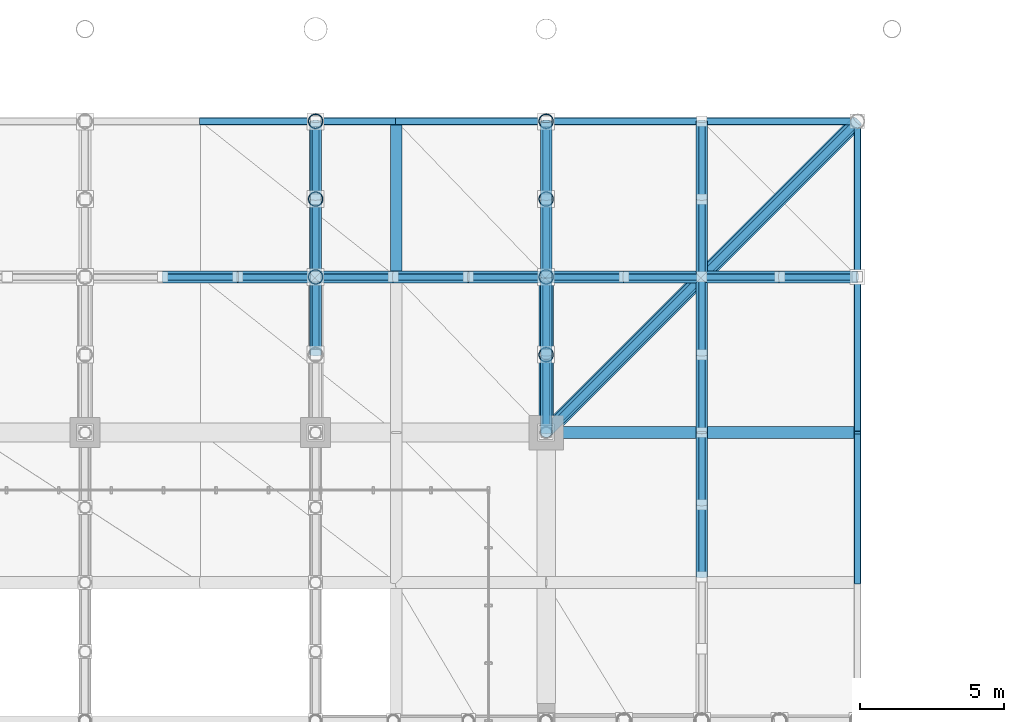
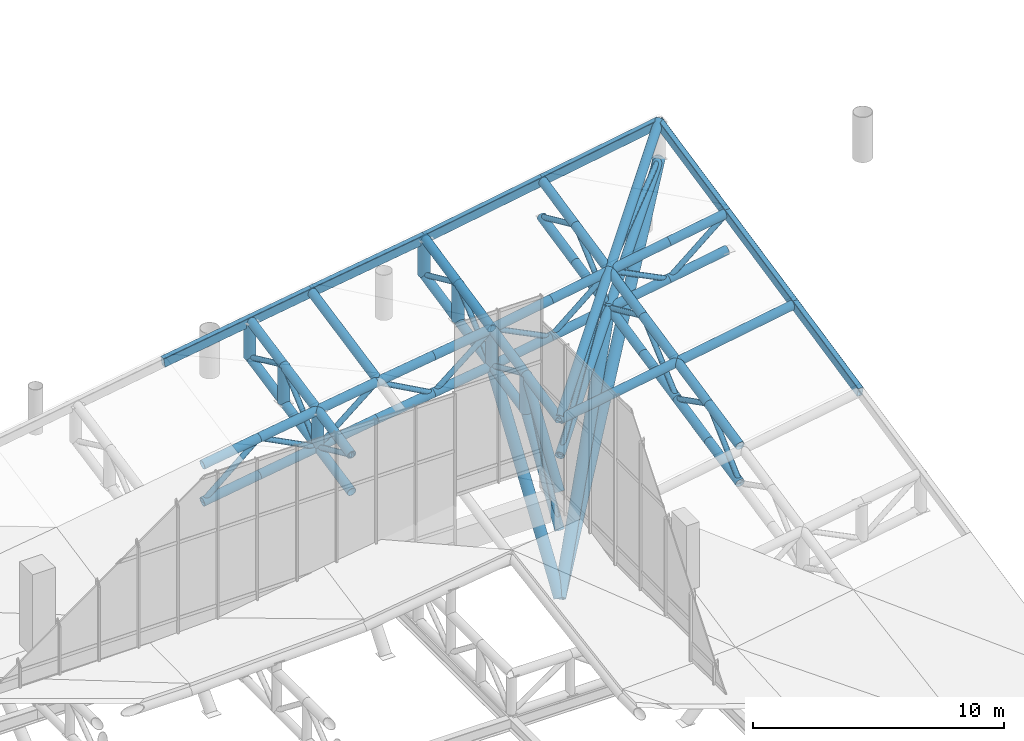
# One storey, part 94 of 137: 87 members, 7 beams.
"""IFC4 building model written with IfcOpenShell, lengths in metres."""

import ifcopenshell
import ifcopenshell.guid

model = None  # the IFC model being written
_history = None  # IfcOwnerHistory: only IFC2X3 demands one
_inside = {}  # id of a spatial element -> (the spatial element, [elements in it])
_under = {}  # id of a project, library or spatial element -> (it, [spatial elements below it])
_declared = {}  # id of a project -> (the project, [libraries it declares])
_typed = {}  # id of a type object -> (the type object, [elements of that type])
_made_of = {}  # id of a material, layer set ... -> (it, [elements and type objects made of it])


def new_model(schema):
    """Start an empty IFC model of exactly this schema.

    Asked for "IFC4X3", IfcOpenShell would pick the latest addendum, in which some entities
    have other attributes; the version numbers below select the first issue.
    IFC2X3 requires an IfcOwnerHistory on every rooted entity: one is made here for all.
    """
    global model, _history
    if schema == "IFC4X3":
        model = ifcopenshell.file(schema_version=(4, 3, 0, 0))
    else:
        model = ifcopenshell.file(schema=schema)
    _inside.clear()
    _under.clear()
    _declared.clear()
    _typed.clear()
    _made_of.clear()
    _history = None
    if model.schema == "IFC2X3":
        org = make("IfcOrganization", Name="unknown")
        user = make(
            "IfcPersonAndOrganization",
            ThePerson=make("IfcPerson", FamilyName="unknown"),
            TheOrganization=org,
        )
        app = make(
            "IfcApplication",
            ApplicationDeveloper=org,
            Version="unknown",
            ApplicationFullName="unknown",
            ApplicationIdentifier="unknown",
        )
        _history = make(
            "IfcOwnerHistory",
            OwningUser=user,
            OwningApplication=app,
            ChangeAction="ADDED",
            CreationDate=0,
        )
    return model


def make(cls, **values):
    """One entity of the class cls with the attributes given. An attribute that is None is left unset."""
    return model.create_entity(
        cls, **{name: value for name, value in values.items() if value is not None}
    )


def rooted(cls, **values):
    """An entity with a GlobalId (a new one), such as an element, a storey or a relation."""
    return make(cls, GlobalId=ifcopenshell.guid.new(), OwnerHistory=_history, **values)


def si_unit(unit_type, name, prefix=None):
    """IfcSIUnit, for example si_unit("LENGTHUNIT", "METRE", prefix="MILLI")."""
    return make("IfcSIUnit", UnitType=unit_type, Prefix=prefix, Name=name)


def assignment(units):
    """IfcUnitAssignment: the units of a project."""
    return None if units is None else make("IfcUnitAssignment", Units=units)


def point(xyz):
    """IfcCartesianPoint."""
    return None if xyz is None else make("IfcCartesianPoint", Coordinates=xyz)


def direction(xyz):
    """IfcDirection."""
    return None if xyz is None else make("IfcDirection", DirectionRatios=xyz)


def frame(location, z_axis=None, x_axis=None):
    """IfcAxis2Placement3D, a coordinate frame: its origin and axes. An axis left out is left unset."""
    return make(
        "IfcAxis2Placement3D",
        Location=point(location),
        Axis=direction(z_axis),
        RefDirection=direction(x_axis),
    )


def frame_2d(location, x_axis=None):
    """IfcAxis2Placement2D, a coordinate frame in the plane: its origin and x axis."""
    return make(
        "IfcAxis2Placement2D", Location=point(location), RefDirection=direction(x_axis)
    )


def origin():
    """The frame at (0, 0, 0) with its axes left unset."""
    return frame((0.0, 0.0, 0.0))


def origin_2d():
    """The frame at (0, 0) in the plane with its x axis left unset."""
    return frame_2d((0.0, 0.0))


def place(relative_to, where):
    """IfcLocalPlacement: puts the frame where relative to a parent placement (None: the world)."""
    return make(
        "IfcLocalPlacement", PlacementRelTo=relative_to, RelativePlacement=where
    )


def context(
    kind, dimensions, precision=None, world=None, true_north=None, identifier=None
):
    """IfcGeometricRepresentationContext, for example the 3D "Model" context."""
    return make(
        "IfcGeometricRepresentationContext",
        ContextIdentifier=identifier,
        ContextType=kind,
        CoordinateSpaceDimension=dimensions,
        Precision=precision,
        WorldCoordinateSystem=world,
        TrueNorth=true_north,
    )


def subcontext(parent, identifier, kind, view, scale=None):
    """IfcGeometricRepresentationSubContext, for example "Body" below "Model"."""
    return make(
        "IfcGeometricRepresentationSubContext",
        ContextIdentifier=identifier,
        ContextType=kind,
        ParentContext=parent,
        TargetScale=scale,
        TargetView=view,
    )


def project(units=None, contexts=None):
    """IfcProject with its units and contexts."""
    return rooted(
        "IfcProject",
        Name="project",
        RepresentationContexts=contexts,
        UnitsInContext=assignment(units),
    )


def spatial(cls, under=None, at=None, **own):
    """A site, building, storey or space (cls), placed at a placement, below another one or the project."""
    s = rooted(cls, ObjectPlacement=at, **own)
    if under is not None:
        _under.setdefault(under.id(), (under, []))[1].append(s)
    return s


def profile(cls, at=None, kind="AREA", **sizes):
    """A parametric profile (cls). Its sizes go by their IFC names, for example OverallWidth=200.0."""
    return make(cls, ProfileType=kind, Position=at, **sizes)


def hollow_rectangle(**sizes):
    """IfcRectangleHollowProfileDef."""
    return profile("IfcRectangleHollowProfileDef", **sizes)


def hollow_circle(**sizes):
    """IfcCircleHollowProfileDef."""
    return profile("IfcCircleHollowProfileDef", **sizes)


def extrude(swept, where, along, depth):
    """IfcExtrudedAreaSolid: the profile swept, set in the frame where, extruded along a direction by depth."""
    return make(
        "IfcExtrudedAreaSolid",
        SweptArea=swept,
        Position=where,
        ExtrudedDirection=direction(along),
        Depth=depth,
    )


def shape(context_of_items, identifier, shape_type, items):
    """IfcShapeRepresentation: the items that make up one representation, for example the "Body"."""
    return make(
        "IfcShapeRepresentation",
        ContextOfItems=context_of_items,
        RepresentationIdentifier=identifier,
        RepresentationType=shape_type,
        Items=items,
    )


def material(Name=None, Category=None):
    """IfcMaterial."""
    return make("IfcMaterial", Name=Name, Category=Category)


def material_profile(
    of_material, cross_section, Name=None, Category=None, Priority=None
):
    """IfcMaterialProfile: a cross section and its material."""
    return make(
        "IfcMaterialProfile",
        Name=Name,
        Material=of_material,
        Profile=cross_section,
        Priority=Priority,
        Category=Category,
    )


def profile_set(profiles, Name=None, composite=None):
    """IfcMaterialProfileSet."""
    return make(
        "IfcMaterialProfileSet",
        Name=Name,
        MaterialProfiles=profiles,
        CompositeProfile=composite,
    )


def made_of(thing, what):
    """Note that an element or type object is made of a material, layer set ...; save() writes the relation."""
    if what is not None:
        _made_of.setdefault(what.id(), (what, []))[1].append(thing)
    return thing


def type_object(cls, material=None, **own):
    """A type object (cls), such as IfcWallType, which elements share."""
    return made_of(rooted(cls, **own), material)


def element(
    cls,
    number,
    at=None,
    inside=None,
    cuts=None,
    type_object=None,
    material=None,
    context=None,
    identifier="Body",
    shape_type=None,
    held_by="IfcProductDefinitionShape",
    body=None,
    shapes=None,
    **own,
):
    """One element of the class cls, such as IfcWall. Its Tag is "e" and its number.

    at: its placement. inside: the storey or other place that contains it. cuts: it is an
    opening in that element (IfcRelVoidsElement). A single representation is given by context,
    identifier, shape_type and body (its items); several are given by shapes. held_by: the class
    of the entity that holds the representations. save() writes the other relations.
    """
    e = rooted(cls, Tag="e%d" % number, ObjectPlacement=at, **own)
    if body is not None:
        shapes = [shape(context, identifier, shape_type, body)]
    if shapes is not None:
        e.Representation = make(held_by, Representations=shapes)
    if inside is not None:
        _inside.setdefault(inside.id(), (inside, []))[1].append(e)
    if cuts is not None:
        rooted(
            "IfcRelVoidsElement", RelatingBuildingElement=cuts, RelatedOpeningElement=e
        )
    if type_object is not None:
        _typed.setdefault(type_object.id(), (type_object, []))[1].append(e)
    return made_of(e, material)


def aggregate(whole, parts):
    """IfcRelAggregates: a whole, such as a stair, and the parts it consists of."""
    return rooted("IfcRelAggregates", RelatingObject=whole, RelatedObjects=parts)


def save(model, path):
    """Write the relations noted so far, then the file.

    IfcRelAggregates (storeys below a building ...), IfcRelContainedInSpatialStructure (elements
    in a storey), IfcRelDefinesByType, IfcRelAssociatesMaterial and IfcRelDeclares: one each for
    every whole, place, type object, material and project.
    """
    for whole, parts in _under.values():
        aggregate(whole, parts)
    for where, things in _inside.values():
        rooted(
            "IfcRelContainedInSpatialStructure",
            RelatedElements=things,
            RelatingStructure=where,
        )
    for kind, things in _typed.values():
        rooted("IfcRelDefinesByType", RelatedObjects=things, RelatingType=kind)
    for what, things in _made_of.values():
        rooted("IfcRelAssociatesMaterial", RelatedObjects=things, RelatingMaterial=what)
    for by, libraries in _declared.values():
        rooted("IfcRelDeclares", RelatingContext=by, RelatedDefinitions=libraries)
    model.write(path)


model = new_model("IFC4")

# Units and contexts
model_context = context("Model", 3, precision=1e-05, world=origin(), true_north=direction((0.0, 1.0)))
body_context = subcontext(model_context, "Body", "Model", "MODEL_VIEW")
ifc_project = project(units=[si_unit("LENGTHUNIT", "METRE"), si_unit("AREAUNIT", "SQUARE_METRE"), si_unit("VOLUMEUNIT", "CUBIC_METRE"), si_unit("PLANEANGLEUNIT", "RADIAN"), si_unit("MASSUNIT", "GRAM", prefix="KILO")], contexts=[model_context])

# Site, building, storey
site_placement = place(None, origin())
site = spatial("IfcSite", under=ifc_project, at=site_placement, CompositionType="ELEMENT")
building_placement = place(site_placement, origin())
building = spatial("IfcBuilding", under=site, at=building_placement, Name="Khorjan Park Terminus", CompositionType="ELEMENT")
storey_placement = place(building_placement, frame((0.0, 0.0, 11.4)))
storey = spatial("IfcBuildingStorey", under=building, at=storey_placement, Name="L02", CompositionType="ELEMENT", Elevation=11.4)

# Members
ifc_material = material(Name="Steel S355", Category="steel")
ifc_material_profile_1 = material_profile(ifc_material, hollow_circle(Radius=0.1222, WallThickness=0.0125, at=origin_2d()), Name="CHS 244.5x12.5")
ifc_profile_set_1 = profile_set([ifc_material_profile_1], Name="Steel S355")
member_type_1 = type_object("IfcMemberType", Name="MB-BRE-245", PredefinedType="BRACE", material=ifc_profile_set_1)
member_1_placement = place(storey_placement, frame((128.0, 90.7, 2.8873), z_axis=(0.0, 0.907595020085, -0.419846733365), x_axis=(-1.0, 0.0, 0.0)))
element("IfcMember", 1, at=member_1_placement, inside=storey, type_object=member_type_1, Name="Lower shell cantilever truss diagonal (11N)", PredefinedType="BRACE", context=body_context, shape_type="SweptSolid", body=[
    extrude(hollow_circle(Radius=0.1222, WallThickness=0.0125, at=origin_2d()), origin(), (0.0, 0.0, 1.0), 2.9749),
])
member_2_placement = place(storey_placement, frame((128.0, 93.4, 1.6383), z_axis=(0.0, 0.755245900469, 0.655441553325), x_axis=(-1.0, 0.0, 0.0)))
element("IfcMember", 2, at=member_2_placement, inside=storey, type_object=member_type_1, Name="Lower shell cantilever truss diagonal (11N)", PredefinedType="BRACE", context=body_context, shape_type="SweptSolid", body=[
    extrude(hollow_circle(Radius=0.1222, WallThickness=0.0125, at=origin_2d()), origin(), (0.0, 0.0, 1.0), 3.575),
])
member_3_placement = place(storey_placement, frame((128.0, 96.1, 3.9815), z_axis=(0.0, 0.907595020085, -0.419846733365), x_axis=(-1.0, 0.0, 0.0)))
element("IfcMember", 3, at=member_3_placement, inside=storey, type_object=member_type_1, Name="Lower shell cantilever truss diagonal (11N)", PredefinedType="BRACE", context=body_context, shape_type="SweptSolid", body=[
    extrude(hollow_circle(Radius=0.1222, WallThickness=0.0125, at=origin_2d()), origin(), (0.0, 0.0, 1.0), 2.9749),
])
member_4_placement = place(storey_placement, frame((136.0, 88.0, -1.92), z_axis=(0.0, 0.413785624432, 0.910374349931), x_axis=(-1.0, 0.0, 0.0)))
element("IfcMember", 4, at=member_4_placement, inside=storey, type_object=member_type_1, Name="Lower shell cantilever truss diagonal (12N)", PredefinedType="BRACE", context=body_context, shape_type="SweptSolid", body=[
    extrude(hollow_circle(Radius=0.1222, WallThickness=0.0125, at=origin_2d()), origin(), (0.0, 0.0, 1.0), 6.5251),
])
member_5_placement = place(storey_placement, frame((136.0, 90.7, 4.0203), z_axis=(0.0, 0.910426516303, -0.413670833408), x_axis=(-1.0, 0.0, 0.0)))
element("IfcMember", 5, at=member_5_placement, inside=storey, type_object=member_type_1, Name="Lower shell cantilever truss diagonal (12N)", PredefinedType="BRACE", context=body_context, shape_type="SweptSolid", body=[
    extrude(hollow_circle(Radius=0.1222, WallThickness=0.0125, at=origin_2d()), origin(), (0.0, 0.0, 1.0), 2.9656),
])
member_6_placement = place(storey_placement, frame((136.0, 93.4, 2.7935), z_axis=(0.0, 0.751099687052, 0.660188806411), x_axis=(-1.0, 0.0, 0.0)))
element("IfcMember", 6, at=member_6_placement, inside=storey, type_object=member_type_1, Name="Lower shell cantilever truss diagonal (12N)", PredefinedType="BRACE", context=body_context, shape_type="SweptSolid", body=[
    extrude(hollow_circle(Radius=0.1222, WallThickness=0.0125, at=origin_2d()), origin(), (0.0, 0.0, 1.0), 3.5947),
])
member_7_placement = place(storey_placement, frame((136.0, 96.1, 5.1667), z_axis=(0.0, 0.910426516303, -0.413670833408), x_axis=(-1.0, 0.0, 0.0)))
element("IfcMember", 7, at=member_7_placement, inside=storey, type_object=member_type_1, Name="Lower shell cantilever truss diagonal (12N)", PredefinedType="BRACE", context=body_context, shape_type="SweptSolid", body=[
    extrude(hollow_circle(Radius=0.1222, WallThickness=0.0125, at=origin_2d()), origin(), (0.0, 0.0, 1.0), 2.9656),
])
member_8_placement = place(storey_placement, frame((122.7, 93.4, 0.8265), z_axis=(0.762734942907, 0.0, 0.646711223707), x_axis=(0.0, 1.0, 0.0)))
element("IfcMember", 8, at=member_8_placement, inside=storey, type_object=member_type_1, Name="Lower shell mid-ring diagonal (N33)", PredefinedType="BRACE", context=body_context, shape_type="SweptSolid", body=[
    extrude(hollow_circle(Radius=0.1222, WallThickness=0.0125, at=origin_2d()), origin(), (0.0, 0.0, 1.0), 3.4088),
])
member_9_placement = place(storey_placement, frame((125.3, 93.4, 3.031), z_axis=(0.888734443095, 0.0, -0.458422392185), x_axis=(0.0, 1.0, 0.0)))
element("IfcMember", 9, at=member_9_placement, inside=storey, type_object=member_type_1, Name="Lower shell mid-ring diagonal (N34)", PredefinedType="BRACE", context=body_context, shape_type="SweptSolid", body=[
    extrude(hollow_circle(Radius=0.1222, WallThickness=0.0125, at=origin_2d()), origin(), (0.0, 0.0, 1.0), 3.038),
])
member_10_placement = place(storey_placement, frame((128.0, 93.4, 1.6383), z_axis=(0.774208919851, 0.0, 0.63293012918), x_axis=(0.0, 1.0, 0.0)))
element("IfcMember", 10, at=member_10_placement, inside=storey, type_object=member_type_1, Name="Lower shell mid-ring diagonal (N35)", PredefinedType="BRACE", context=body_context, shape_type="SweptSolid", body=[
    extrude(hollow_circle(Radius=0.1222, WallThickness=0.0125, at=origin_2d()), origin(), (0.0, 0.0, 1.0), 3.4874),
])
member_11_placement = place(storey_placement, frame((130.7, 93.4, 3.8456), z_axis=(0.875845811731, 0.0, -0.482591042264), x_axis=(0.0, 1.0, 0.0)))
element("IfcMember", 11, at=member_11_placement, inside=storey, type_object=member_type_1, Name="Lower shell mid-ring diagonal (N36)", PredefinedType="BRACE", context=body_context, shape_type="SweptSolid", body=[
    extrude(hollow_circle(Radius=0.1222, WallThickness=0.0125, at=origin_2d()), origin(), (0.0, 0.0, 1.0), 2.9686),
])
member_12_placement = place(storey_placement, frame((133.3, 93.4, 2.413), z_axis=(0.777979098787, 0.0, 0.628290157372), x_axis=(0.0, 1.0, 0.0)))
element("IfcMember", 12, at=member_12_placement, inside=storey, type_object=member_type_1, Name="Lower shell mid-ring diagonal (N37)", PredefinedType="BRACE", context=body_context, shape_type="SweptSolid", body=[
    extrude(hollow_circle(Radius=0.1222, WallThickness=0.0125, at=origin_2d()), origin(), (0.0, 0.0, 1.0), 3.4705),
])
member_13_placement = place(storey_placement, frame((136.0, 93.4, 4.5935), z_axis=(0.895485989032, 0.0, -0.445089702697), x_axis=(0.0, 1.0, 0.0)))
element("IfcMember", 13, at=member_13_placement, inside=storey, type_object=member_type_1, Name="Lower shell mid-ring diagonal (N38)", PredefinedType="BRACE", context=body_context, shape_type="SweptSolid", body=[
    extrude(hollow_circle(Radius=0.1222, WallThickness=0.0125, at=origin_2d()), origin(), (0.0, 0.0, 1.0), 3.0151),
])
member_14_placement = place(storey_placement, frame((138.7, 93.4, 3.2515), z_axis=(0.767088309459, 0.0, 0.641541522811), x_axis=(0.0, 1.0, 0.0)))
element("IfcMember", 14, at=member_14_placement, inside=storey, type_object=member_type_1, Name="Lower shell mid-ring diagonal (N39)", PredefinedType="BRACE", context=body_context, shape_type="SweptSolid", body=[
    extrude(hollow_circle(Radius=0.1222, WallThickness=0.0125, at=origin_2d()), origin(), (0.0, 0.0, 1.0), 3.5198),
])
member_15_placement = place(storey_placement, frame((141.4, 93.4, 5.5096), z_axis=(0.895485989032, 0.0, -0.445089702697), x_axis=(0.0, 1.0, 0.0)))
element("IfcMember", 15, at=member_15_placement, inside=storey, type_object=member_type_1, Name="Lower shell mid-ring diagonal (N40)", PredefinedType="BRACE", context=body_context, shape_type="SweptSolid", body=[
    extrude(hollow_circle(Radius=0.1222, WallThickness=0.0125, at=origin_2d()), origin(), (0.0, 0.0, 1.0), 3.0151),
])
member_16_placement = place(storey_placement, frame((144.1, 93.4, 4.1676), z_axis=(0.767102290967, 0.0, 0.641524804816), x_axis=(0.0, 1.0, 0.0)))
element("IfcMember", 16, at=member_16_placement, inside=storey, type_object=member_type_1, Name="Lower shell mid-ring diagonal (N41)", PredefinedType="BRACE", context=body_context, shape_type="SweptSolid", body=[
    extrude(hollow_circle(Radius=0.1222, WallThickness=0.0125, at=origin_2d()), origin(), (0.0, 0.0, 1.0), 3.5197),
])
member_17_placement = place(storey_placement, frame((141.4, 83.0, 1.5018), z_axis=(0.0, 0.731439462043, 0.681906381673), x_axis=(-1.0, 0.0, 0.0)))
element("IfcMember", 17, at=member_17_placement, inside=storey, type_object=member_type_1, Name="Lower shell mid-ring diagonal (E27)", PredefinedType="BRACE", context=body_context, shape_type="SweptSolid", body=[
    extrude(hollow_circle(Radius=0.1222, WallThickness=0.0125, at=origin_2d()), origin(), (0.0, 0.0, 1.0), 3.4179),
])
member_18_placement = place(storey_placement, frame((141.4, 85.5, 3.8325), z_axis=(0.0, 0.891656802084, -0.452711991554), x_axis=(-1.0, 0.0, 0.0)))
element("IfcMember", 18, at=member_18_placement, inside=storey, type_object=member_type_1, Name="Lower shell mid-ring diagonal (E28)", PredefinedType="BRACE", context=body_context, shape_type="SweptSolid", body=[
    extrude(hollow_circle(Radius=0.1222, WallThickness=0.0125, at=origin_2d()), origin(), (0.0, 0.0, 1.0), 2.8038),
])
member_19_placement = place(storey_placement, frame((141.4, 88.0, 2.5632), z_axis=(0.0, 0.751099687052, 0.660188806411), x_axis=(-1.0, 0.0, 0.0)))
element("IfcMember", 19, at=member_19_placement, inside=storey, type_object=member_type_1, Name="Lower shell mid-ring diagonal (E29)", PredefinedType="BRACE", context=body_context, shape_type="SweptSolid", body=[
    extrude(hollow_circle(Radius=0.1222, WallThickness=0.0125, at=origin_2d()), origin(), (0.0, 0.0, 1.0), 3.5947),
])
member_20_placement = place(storey_placement, frame((141.4, 90.7, 4.9364), z_axis=(0.0, 0.910426516303, -0.413670833408), x_axis=(-1.0, 0.0, 0.0)))
element("IfcMember", 20, at=member_20_placement, inside=storey, type_object=member_type_1, Name="Lower shell mid-ring diagonal (E30)", PredefinedType="BRACE", context=body_context, shape_type="SweptSolid", body=[
    extrude(hollow_circle(Radius=0.1222, WallThickness=0.0125, at=origin_2d()), origin(), (0.0, 0.0, 1.0), 2.9656),
])
member_21_placement = place(storey_placement, frame((141.4, 93.4, 3.7096), z_axis=(0.0, 0.751113481437, 0.660173112148), x_axis=(-1.0, 0.0, 0.0)))
element("IfcMember", 21, at=member_21_placement, inside=storey, type_object=member_type_1, Name="Lower shell mid-ring diagonal (E31)", PredefinedType="BRACE", context=body_context, shape_type="SweptSolid", body=[
    extrude(hollow_circle(Radius=0.1222, WallThickness=0.0125, at=origin_2d()), origin(), (0.0, 0.0, 1.0), 3.5947),
])
member_22_placement = place(storey_placement, frame((141.4, 96.1, 6.0827), z_axis=(0.0, 0.910426516303, -0.413670833408), x_axis=(-1.0, 0.0, 0.0)))
element("IfcMember", 22, at=member_22_placement, inside=storey, type_object=member_type_1, Name="Lower shell mid-ring diagonal (E32)", PredefinedType="BRACE", context=body_context, shape_type="SweptSolid", body=[
    extrude(hollow_circle(Radius=0.1222, WallThickness=0.0125, at=origin_2d()), origin(), (0.0, 0.0, 1.0), 2.9656),
])
member_23_placement = place(storey_placement, frame((136.0, 88.0, 1.6951), z_axis=(0.630990520592, 0.630990520592, 0.451333497368), x_axis=(-0.707106781187, 0.707106781187, 0.0)))
element("IfcMember", 23, at=member_23_placement, inside=storey, type_object=member_type_1, Name="Lower shell upturned corner truss TBE-24 (NE)", PredefinedType="BRACE", context=body_context, shape_type="SweptSolid", body=[
    extrude(hollow_circle(Radius=0.1222, WallThickness=0.0125, at=origin_2d()), origin(), (0.0, 0.0, 1.0), 8.558),
])
member_24_placement = place(storey_placement, frame((141.4, 93.4, 5.5576), z_axis=(0.706689738214, 0.706689738213, 0.034339886538), x_axis=(-0.707106781187, 0.707106781187, 0.0)))
element("IfcMember", 24, at=member_24_placement, inside=storey, type_object=member_type_1, Name="Lower shell upturned corner truss TBE-24 (NE)", PredefinedType="BRACE", context=body_context, shape_type="SweptSolid", body=[
    extrude(hollow_circle(Radius=0.1222, WallThickness=0.0125, at=origin_2d()), origin(), (0.0, 0.0, 1.0), 7.6413),
])
ifc_material_profile_2 = material_profile(ifc_material, hollow_circle(Radius=0.2032, WallThickness=0.016, at=origin_2d()), Name="CHS 406.4x16")
ifc_profile_set_2 = profile_set([ifc_material_profile_2], Name="Steel S355")
member_type_2 = type_object("IfcMemberType", Name="MB-CHE-406", PredefinedType="CHORD", material=ifc_profile_set_2)
for number, where, z_axis, x_axis, name in (
    (25, (136.0, 88.0, 3.4471), (0.985913104802, 0.0, 0.167258332465), (0.0, 1.0, 0.0), "Lower wrapping shell rim chord (118)"),
    (26, (141.4, 88.0, 4.3632), (0.985913104802, 0.0, 0.167258332465), (0.0, 1.0, 0.0), "Lower wrapping shell rim chord (119)"),
):
    element("IfcMember", number, at=place(storey_placement, frame(where, z_axis=z_axis, x_axis=x_axis)), inside=storey, type_object=member_type_2, Name=name, PredefinedType="CHORD", context=body_context, shape_type="SweptSolid", body=[
        extrude(hollow_circle(Radius=0.2032, WallThickness=0.016, at=origin_2d()), origin(), (0.0, 0.0, 1.0), 5.4772),
    ])
member_25_placement = place(storey_placement, frame((130.8, 93.4, 3.8607), z_axis=(0.0, 0.979805509738, 0.199952902172), x_axis=(-1.0, 0.0, 0.0)))
element("IfcMember", 27, at=member_25_placement, inside=storey, type_object=member_type_2, Name="Lower wrapping shell rim chord (149)", PredefinedType="CHORD", context=body_context, shape_type="SweptSolid", body=[
    extrude(hollow_circle(Radius=0.2032, WallThickness=0.016, at=origin_2d()), origin(), (0.0, 0.0, 1.0), 5.5113),
])
for number, where, z_axis, x_axis, name in (
    (28, (136.0, 88.0, 3.4471), (0.0, 0.978199346233, 0.207668098245), (-1.0, 0.0, 0.0), "Lower wrapping shell rim chord (154)"),
    (29, (136.0, 93.4, 4.5935), (0.0, 0.978199346233, 0.207668098245), (-1.0, 0.0, 0.0), "Lower wrapping shell rim chord (155)"),
):
    element("IfcMember", number, at=place(storey_placement, frame(where, z_axis=z_axis, x_axis=x_axis)), inside=storey, type_object=member_type_2, Name=name, PredefinedType="CHORD", context=body_context, shape_type="SweptSolid", body=[
        extrude(hollow_circle(Radius=0.2032, WallThickness=0.016, at=origin_2d()), origin(), (0.0, 0.0, 1.0), 5.5203),
    ])
for number, where, z_axis, x_axis, name in (
    (30, (128.0, 90.7, 2.8873), (0.0, 0.979805509738, 0.199952902172), (-1.0, 0.0, 0.0), "Lower shell cantilever truss top chord (11N)"),
    (31, (128.0, 90.7, 1.0873), (0.0, 0.979805509738, 0.199952902172), (-1.0, 0.0, 0.0), "Lower shell cantilever truss bottom chord (11N)"),
):
    element("IfcMember", number, at=place(storey_placement, frame(where, z_axis=z_axis, x_axis=x_axis)), inside=storey, type_object=member_type_2, Name=name, PredefinedType="CHORD", context=body_context, shape_type="SweptSolid", body=[
        extrude(hollow_circle(Radius=0.2032, WallThickness=0.016, at=origin_2d()), origin(), (0.0, 0.0, 1.0), 2.7556),
    ])
for number, where, z_axis, x_axis, name in (
    (32, (128.0, 93.4, 3.4383), (0.0, 0.980356596147, 0.197233223343), (-1.0, 0.0, 0.0), "Lower shell cantilever truss top chord (11N)"),
    (33, (128.0, 93.4, 1.6383), (0.0, 0.980356596147, 0.197233223343), (-1.0, 0.0, 0.0), "Lower shell cantilever truss bottom chord (11N)"),
):
    element("IfcMember", number, at=place(storey_placement, frame(where, z_axis=z_axis, x_axis=x_axis)), inside=storey, type_object=member_type_2, Name=name, PredefinedType="CHORD", context=body_context, shape_type="SweptSolid", body=[
        extrude(hollow_circle(Radius=0.2032, WallThickness=0.016, at=origin_2d()), origin(), (0.0, 0.0, 1.0), 2.7541),
    ])
for number, where, z_axis, x_axis, name in (
    (34, (128.0, 96.1, 3.9815), (0.0, 0.979805509738, 0.199952902172), (-1.0, 0.0, 0.0), "Lower shell cantilever truss top chord (11N)"),
    (35, (128.0, 96.1, 2.1815), (0.0, 0.979805509738, 0.199952902172), (-1.0, 0.0, 0.0), "Lower shell cantilever truss bottom chord (11N)"),
):
    element("IfcMember", number, at=place(storey_placement, frame(where, z_axis=z_axis, x_axis=x_axis)), inside=storey, type_object=member_type_2, Name=name, PredefinedType="CHORD", context=body_context, shape_type="SweptSolid", body=[
        extrude(hollow_circle(Radius=0.2032, WallThickness=0.016, at=origin_2d()), origin(), (0.0, 0.0, 1.0), 2.7556),
    ])
member_26_placement = place(storey_placement, frame((136.0, 88.0, -0.05), z_axis=(0.0, 0.552780526491, 0.833326880361), x_axis=(-1.0, 0.0, 0.0)))
element("IfcMember", 36, at=member_26_placement, inside=storey, type_object=member_type_2, Name="Lower shell cantilever truss top chord (12N)", PredefinedType="CHORD", context=body_context, shape_type="SweptSolid", body=[
    extrude(hollow_circle(Radius=0.2032, WallThickness=0.016, at=origin_2d()), origin(), (0.0, 0.0, 1.0), 4.8844),
])
member_27_placement = place(storey_placement, frame((136.0, 88.0, -1.92), z_axis=(0.0, 0.546240009424, 0.837628707784), x_axis=(-1.0, 0.0, 0.0)))
element("IfcMember", 37, at=member_27_placement, inside=storey, type_object=member_type_2, Name="Lower shell cantilever truss bottom chord (12N)", PredefinedType="CHORD", context=body_context, shape_type="SweptSolid", body=[
    extrude(hollow_circle(Radius=0.2032, WallThickness=0.016, at=origin_2d()), origin(), (0.0, 0.0, 1.0), 4.9429),
])
for number, where, z_axis, x_axis, name in (
    (38, (136.0, 90.7, 4.0203), (0.0, 0.978199346233, 0.207668098245), (-1.0, 0.0, 0.0), "Lower shell cantilever truss top chord (12N)"),
    (39, (136.0, 90.7, 2.2203), (0.0, 0.978199346233, 0.207668098245), (-1.0, 0.0, 0.0), "Lower shell cantilever truss bottom chord (12N)"),
    (40, (136.0, 93.4, 4.5935), (0.0, 0.978199346233, 0.207668098245), (-1.0, 0.0, 0.0), "Lower shell cantilever truss top chord (12N)"),
    (41, (136.0, 93.4, 2.7935), (0.0, 0.978199346233, 0.207668098245), (-1.0, 0.0, 0.0), "Lower shell cantilever truss bottom chord (12N)"),
    (42, (136.0, 96.1, 5.1667), (0.0, 0.978199346233, 0.207668098245), (-1.0, 0.0, 0.0), "Lower shell cantilever truss top chord (12N)"),
    (43, (136.0, 96.1, 3.3667), (0.0, 0.978199346233, 0.207668098245), (-1.0, 0.0, 0.0), "Lower shell cantilever truss bottom chord (12N)"),
):
    element("IfcMember", number, at=place(storey_placement, frame(where, z_axis=z_axis, x_axis=x_axis)), inside=storey, type_object=member_type_2, Name=name, PredefinedType="CHORD", context=body_context, shape_type="SweptSolid", body=[
        extrude(hollow_circle(Radius=0.2032, WallThickness=0.016, at=origin_2d()), origin(), (0.0, 0.0, 1.0), 2.7602),
    ])
for number, where, z_axis, x_axis, name in (
    (44, (122.7, 93.4, 2.6265), (0.988113262008, 0.0, 0.153727620955), (0.0, 1.0, 0.0), "Lower shell mid-ring top chord (N33)"),
    (45, (122.7, 93.4, 0.8265), (0.988113262008, 0.0, 0.153727620955), (0.0, 1.0, 0.0), "Lower shell mid-ring bottom chord (N33)"),
):
    element("IfcMember", number, at=place(storey_placement, frame(where, z_axis=z_axis, x_axis=x_axis)), inside=storey, type_object=member_type_2, Name=name, PredefinedType="CHORD", context=body_context, shape_type="SweptSolid", body=[
        extrude(hollow_circle(Radius=0.2032, WallThickness=0.016, at=origin_2d()), origin(), (0.0, 0.0, 1.0), 2.6313),
    ])
for number, where, z_axis, x_axis, name in (
    (46, (125.3, 93.4, 3.031), (0.988812441783, 0.0, 0.149164187977), (0.0, 1.0, 0.0), "Lower shell mid-ring top chord (N34)"),
    (47, (125.3, 93.4, 1.231), (0.988812441783, 0.0, 0.149164187977), (0.0, 1.0, 0.0), "Lower shell mid-ring bottom chord (N34)"),
    (48, (128.0, 93.4, 3.4383), (0.988812441783, 0.0, 0.149164187977), (0.0, 1.0, 0.0), "Lower shell mid-ring top chord (N35)"),
    (49, (128.0, 93.4, 1.6383), (0.988812441783, 0.0, 0.149164187977), (0.0, 1.0, 0.0), "Lower shell mid-ring bottom chord (N35)"),
):
    element("IfcMember", number, at=place(storey_placement, frame(where, z_axis=z_axis, x_axis=x_axis)), inside=storey, type_object=member_type_2, Name=name, PredefinedType="CHORD", context=body_context, shape_type="SweptSolid", body=[
        extrude(hollow_circle(Radius=0.2032, WallThickness=0.016, at=origin_2d()), origin(), (0.0, 0.0, 1.0), 2.7305),
    ])
for number, where, z_axis, x_axis, name in (
    (50, (130.7, 93.4, 3.8456), (0.990163141127, 0.0, 0.139917668481), (0.0, 1.0, 0.0), "Lower shell mid-ring top chord (N36)"),
    (51, (130.7, 93.4, 2.0456), (0.990163141127, 0.0, 0.139917668481), (0.0, 1.0, 0.0), "Lower shell mid-ring bottom chord (N36)"),
):
    element("IfcMember", number, at=place(storey_placement, frame(where, z_axis=z_axis, x_axis=x_axis)), inside=storey, type_object=member_type_2, Name=name, PredefinedType="CHORD", context=body_context, shape_type="SweptSolid", body=[
        extrude(hollow_circle(Radius=0.2032, WallThickness=0.016, at=origin_2d()), origin(), (0.0, 0.0, 1.0), 2.6258),
    ])
for number, where, z_axis, x_axis, name in (
    (52, (133.3, 93.4, 4.213), (0.99021544467, 0.0, 0.139547028406), (0.0, 1.0, 0.0), "Lower shell mid-ring top chord (N37)"),
    (53, (133.3, 93.4, 2.413), (0.99021544467, 0.0, 0.139547028406), (0.0, 1.0, 0.0), "Lower shell mid-ring bottom chord (N37)"),
):
    element("IfcMember", number, at=place(storey_placement, frame(where, z_axis=z_axis, x_axis=x_axis)), inside=storey, type_object=member_type_2, Name=name, PredefinedType="CHORD", context=body_context, shape_type="SweptSolid", body=[
        extrude(hollow_circle(Radius=0.2032, WallThickness=0.016, at=origin_2d()), origin(), (0.0, 0.0, 1.0), 2.7267),
    ])
for number, where, z_axis, x_axis, name in (
    (54, (136.0, 93.4, 4.5935), (0.985916115378, 0.0, 0.167240585497), (0.0, 1.0, 0.0), "Lower shell mid-ring top chord (N38)"),
    (55, (136.0, 93.4, 2.7935), (0.985916115378, 0.0, 0.167240585497), (0.0, 1.0, 0.0), "Lower shell mid-ring bottom chord (N38)"),
    (56, (138.7, 93.4, 5.0515), (0.985910093926, 0.0, 0.167276079269), (0.0, 1.0, 0.0), "Lower shell mid-ring top chord (N39)"),
    (57, (138.7, 93.4, 3.2515), (0.985910093926, 0.0, 0.167276079269), (0.0, 1.0, 0.0), "Lower shell mid-ring bottom chord (N39)"),
    (58, (141.4, 93.4, 5.5096), (0.985916115378, 0.0, 0.167240585497), (0.0, 1.0, 0.0), "Lower shell mid-ring top chord (N40)"),
    (59, (141.4, 93.4, 3.7096), (0.985916115378, 0.0, 0.167240585497), (0.0, 1.0, 0.0), "Lower shell mid-ring bottom chord (N40)"),
    (60, (144.1, 93.4, 5.9676), (0.985916115378, 0.0, 0.167240585497), (0.0, 1.0, 0.0), "Lower shell mid-ring top chord (N41)"),
    (61, (144.1, 93.4, 4.1676), (0.985916115378, 0.0, 0.167240585497), (0.0, 1.0, 0.0), "Lower shell mid-ring bottom chord (N41)"),
):
    element("IfcMember", number, at=place(storey_placement, frame(where, z_axis=z_axis, x_axis=x_axis)), inside=storey, type_object=member_type_2, Name=name, PredefinedType="CHORD", context=body_context, shape_type="SweptSolid", body=[
        extrude(hollow_circle(Radius=0.2032, WallThickness=0.016, at=origin_2d()), origin(), (0.0, 0.0, 1.0), 2.7386),
    ])
for number, where, z_axis, x_axis, name in (
    (62, (141.4, 83.0, 3.3018), (0.0, 0.978202584398, 0.207652844616), (-1.0, 0.0, 0.0), "Lower shell mid-ring top chord (E27)"),
    (63, (141.4, 83.0, 1.5018), (0.0, 0.978202584398, 0.207652844616), (-1.0, 0.0, 0.0), "Lower shell mid-ring bottom chord (E27)"),
    (64, (141.4, 85.5, 3.8325), (0.0, 0.978202584398, 0.207652844616), (-1.0, 0.0, 0.0), "Lower shell mid-ring top chord (E28)"),
    (65, (141.4, 85.5, 2.0325), (0.0, 0.978202584398, 0.207652844616), (-1.0, 0.0, 0.0), "Lower shell mid-ring bottom chord (E28)"),
):
    element("IfcMember", number, at=place(storey_placement, frame(where, z_axis=z_axis, x_axis=x_axis)), inside=storey, type_object=member_type_2, Name=name, PredefinedType="CHORD", context=body_context, shape_type="SweptSolid", body=[
        extrude(hollow_circle(Radius=0.2032, WallThickness=0.016, at=origin_2d()), origin(), (0.0, 0.0, 1.0), 2.5557),
    ])
for number, where, z_axis, x_axis, name in (
    (66, (141.4, 88.0, 4.3632), (0.0, 0.978199346233, 0.207668098245), (-1.0, 0.0, 0.0), "Lower shell mid-ring top chord (E29)"),
    (67, (141.4, 88.0, 2.5632), (0.0, 0.978199346233, 0.207668098245), (-1.0, 0.0, 0.0), "Lower shell mid-ring bottom chord (E29)"),
    (68, (141.4, 90.7, 4.9364), (0.0, 0.978199346233, 0.207668098245), (-1.0, 0.0, 0.0), "Lower shell mid-ring top chord (E30)"),
    (69, (141.4, 90.7, 3.1364), (0.0, 0.978199346233, 0.207668098245), (-1.0, 0.0, 0.0), "Lower shell mid-ring bottom chord (E30)"),
    (70, (141.4, 93.4, 5.5096), (0.0, 0.978206705385, 0.207633430688), (-1.0, 0.0, 0.0), "Lower shell mid-ring top chord (E31)"),
    (71, (141.4, 93.4, 3.7096), (0.0, 0.978206705385, 0.207633430688), (-1.0, 0.0, 0.0), "Lower shell mid-ring bottom chord (E31)"),
    (72, (141.4, 96.1, 6.0827), (0.0, 0.978199346233, 0.207668098245), (-1.0, 0.0, 0.0), "Lower shell mid-ring top chord (E32)"),
    (73, (141.4, 96.1, 4.2827), (0.0, 0.978199346233, 0.207668098245), (-1.0, 0.0, 0.0), "Lower shell mid-ring bottom chord (E32)"),
):
    element("IfcMember", number, at=place(storey_placement, frame(where, z_axis=z_axis, x_axis=x_axis)), inside=storey, type_object=member_type_2, Name=name, PredefinedType="CHORD", context=body_context, shape_type="SweptSolid", body=[
        extrude(hollow_circle(Radius=0.2032, WallThickness=0.016, at=origin_2d()), origin(), (0.0, 0.0, 1.0), 2.7602),
    ])
member_28_placement = place(storey_placement, frame((136.0, 88.0, 3.4951), z_axis=(0.682648477932, 0.682648477932, 0.260733793655), x_axis=(-0.707106781187, 0.707106781187, 0.0)))
element("IfcMember", 74, at=member_28_placement, inside=storey, type_object=member_type_2, Name="Lower shell upturned corner truss TCE-41 (NE)", PredefinedType="CHORD", context=body_context, shape_type="SweptSolid", body=[
    extrude(hollow_circle(Radius=0.2032, WallThickness=0.016, at=origin_2d()), origin(), (0.0, 0.0, 1.0), 7.9104),
])
member_29_placement = place(storey_placement, frame((141.4, 93.4, 5.5576), z_axis=(0.682650727968, 0.682650727968, 0.260722011363), x_axis=(-0.707106781187, 0.707106781187, 0.0)))
element("IfcMember", 75, at=member_29_placement, inside=storey, type_object=member_type_2, Name="Lower shell upturned corner truss TCE-41 (NE)", PredefinedType="CHORD", context=body_context, shape_type="SweptSolid", body=[
    extrude(hollow_circle(Radius=0.2032, WallThickness=0.016, at=origin_2d()), origin(), (0.0, 0.0, 1.0), 7.9103),
])
member_30_placement = place(storey_placement, frame((136.0, 88.0, 1.6951), z_axis=(0.682648477932, 0.682648477932, 0.260733793655), x_axis=(-0.707106781187, 0.707106781187, 0.0)))
element("IfcMember", 76, at=member_30_placement, inside=storey, type_object=member_type_2, Name="Lower shell upturned corner truss TCE-41 (NE)", PredefinedType="CHORD", context=body_context, shape_type="SweptSolid", body=[
    extrude(hollow_circle(Radius=0.2032, WallThickness=0.016, at=origin_2d()), origin(), (0.0, 0.0, 1.0), 7.9104),
])
member_31_placement = place(storey_placement, frame((141.4, 93.4, 3.7576), z_axis=(0.682650727968, 0.682650727968, 0.260722011363), x_axis=(-0.707106781187, 0.707106781187, 0.0)))
element("IfcMember", 77, at=member_31_placement, inside=storey, type_object=member_type_2, Name="Lower shell upturned corner truss TCE-41 (NE)", PredefinedType="CHORD", context=body_context, shape_type="SweptSolid", body=[
    extrude(hollow_circle(Radius=0.2032, WallThickness=0.016, at=origin_2d()), origin(), (0.0, 0.0, 1.0), 7.9103),
])
ifc_material_profile_3 = material_profile(ifc_material, hollow_circle(Radius=0.254, WallThickness=0.02, at=origin_2d()), Name="CHS 508x20")
ifc_profile_set_3 = profile_set([ifc_material_profile_3], Name="Steel S355")
member_type_3 = type_object("IfcMemberType", Name="MB-STE-508", PredefinedType="STRUT", material=ifc_profile_set_3)
for number, where, z_axis, x_axis, name in (
    (78, (128.0, 93.4, 1.6383), (0.0, 0.0, 1.0), (1.0, 0.0, 0.0), "Lower shell cantilever truss post (11N)"),
    (79, (128.0, 96.1, 2.1815), (0.0, 0.0, 1.0), (1.0, 0.0, 0.0), "Lower shell cantilever truss post (11N)"),
    (80, (128.0, 98.8, 2.7325), (0.0, 0.0, 1.0), (1.0, 0.0, 0.0), "Lower shell cantilever truss post (11N)"),
    (81, (136.0, 90.7, 2.2203), (0.0, 0.0, 1.0), (1.0, 0.0, 0.0), "Lower shell cantilever truss post (12N)"),
    (82, (136.0, 93.4, 2.7935), (0.0, 0.0, 1.0), (1.0, 0.0, 0.0), "Lower shell cantilever truss post (12N)"),
    (83, (136.0, 96.1, 3.3667), (0.0, 0.0, 1.0), (1.0, 0.0, 0.0), "Lower shell cantilever truss post (12N)"),
    (84, (136.0, 98.8, 3.9399), (0.0, 0.0, 1.0), (1.0, 0.0, 0.0), "Lower shell cantilever truss post (12N)"),
):
    element("IfcMember", number, at=place(storey_placement, frame(where, z_axis=z_axis, x_axis=x_axis)), inside=storey, type_object=member_type_3, Name=name, PredefinedType="STRUT", context=body_context, shape_type="SweptSolid", body=[
        extrude(hollow_circle(Radius=0.254, WallThickness=0.02, at=origin_2d()), origin(), (0.0, 0.0, 1.0), 1.8),
    ])
member_32_placement = place(storey_placement, frame((136.0, 88.0, -5.2), z_axis=(0.0, 0.559785275898, 0.82863770424), x_axis=(-1.0, 0.0, 0.0)))
element("IfcMember", 85, at=member_32_placement, inside=storey, type_object=member_type_3, Name="Lower shell raked overhang V-strut STE-51 (12N)", PredefinedType="STRUT", context=body_context, shape_type="SweptSolid", body=[
    extrude(hollow_circle(Radius=0.254, WallThickness=0.02, at=origin_2d()), origin(), (0.0, 0.0, 1.0), 9.6466),
])
member_33_placement = place(storey_placement, frame((136.0, 88.0, -5.2), z_axis=(0.458750995878, 0.458750995878, 0.760982948273), x_axis=(-0.707106781187, 0.707106781187, 0.0)))
element("IfcMember", 86, at=member_33_placement, inside=storey, type_object=member_type_3, Name="Lower shell upturned corner truss STE-51 (NE)", PredefinedType="STRUT", context=body_context, shape_type="SweptSolid", body=[
    extrude(hollow_circle(Radius=0.254, WallThickness=0.02, at=origin_2d()), origin(), (0.0, 0.0, 1.0), 11.7711),
])
member_34_placement = place(storey_placement, frame((136.0, 88.0, -5.2), z_axis=(0.573430346796, 0.573430346796, 0.585111335342), x_axis=(-0.707106781187, 0.707106781187, 0.0)))
element("IfcMember", 87, at=member_34_placement, inside=storey, type_object=member_type_3, Name="Lower shell upturned corner truss STE-51 (NE)", PredefinedType="STRUT", context=body_context, shape_type="SweptSolid", body=[
    extrude(hollow_circle(Radius=0.254, WallThickness=0.02, at=origin_2d()), origin(), (0.0, 0.0, 1.0), 18.834),
])

# Beams
ifc_material_profile_4 = material_profile(ifc_material, hollow_rectangle(XDim=0.25, YDim=0.45, WallThickness=0.016, InnerFilletRadius=0.016, OuterFilletRadius=0.032, at=origin_2d()), Name="RHS 450x250x16")
ifc_profile_set_4 = profile_set([ifc_material_profile_4], Name="Steel S355")
beam_type = type_object("IfcBeamType", Name="SP-RHS450", PredefinedType="SPANDREL", material=ifc_profile_set_4)
beam_1_placement = place(storey_placement, frame((124.0, 98.8, 3.8959), z_axis=(0.988401253696, 0.0, 0.151864945568), x_axis=(0.0, 1.0, 0.0)))
element("IfcBeam", 88, at=beam_1_placement, inside=storey, type_object=beam_type, Name="Lower wrapping shell upturned edge beam SP-R45 (29)", PredefinedType="SPANDREL", context=body_context, shape_type="SweptSolid", body=[
    extrude(hollow_rectangle(XDim=0.25, YDim=0.45, WallThickness=0.016, InnerFilletRadius=0.016, OuterFilletRadius=0.032, at=origin_2d()), origin(), (0.0, 0.0, 1.0), 6.8798),
])
beam_2_placement = place(storey_placement, frame((130.8, 98.8, 4.9407), z_axis=(0.989014339855, 0.0, 0.147819604795), x_axis=(0.0, 1.0, 0.0)))
element("IfcBeam", 89, at=beam_2_placement, inside=storey, type_object=beam_type, Name="Lower wrapping shell upturned edge beam SP-R45 (30)", PredefinedType="SPANDREL", context=body_context, shape_type="SweptSolid", body=[
    extrude(hollow_rectangle(XDim=0.25, YDim=0.45, WallThickness=0.016, InnerFilletRadius=0.016, OuterFilletRadius=0.032, at=origin_2d()), origin(), (0.0, 0.0, 1.0), 5.2578),
])
beam_3_placement = place(storey_placement, frame((136.0, 98.8, 5.7179), z_axis=(0.985916115378, 0.0, 0.167240585497), x_axis=(0.0, 1.0, 0.0)))
element("IfcBeam", 90, at=beam_3_placement, inside=storey, type_object=beam_type, Name="Lower wrapping shell upturned edge beam SP-R45 (31)", PredefinedType="SPANDREL", context=body_context, shape_type="SweptSolid", body=[
    extrude(hollow_rectangle(XDim=0.25, YDim=0.45, WallThickness=0.016, InnerFilletRadius=0.016, OuterFilletRadius=0.032, at=origin_2d()), origin(), (0.0, 0.0, 1.0), 5.4771),
])
beam_4_placement = place(storey_placement, frame((141.4, 98.8, 6.6339), z_axis=(0.985913104802, 0.0, 0.167258332465), x_axis=(0.0, 1.0, 0.0)))
element("IfcBeam", 91, at=beam_4_placement, inside=storey, type_object=beam_type, Name="Lower wrapping shell upturned edge beam SP-R45 (32)", PredefinedType="SPANDREL", context=body_context, shape_type="SweptSolid", body=[
    extrude(hollow_rectangle(XDim=0.25, YDim=0.45, WallThickness=0.016, InnerFilletRadius=0.016, OuterFilletRadius=0.032, at=origin_2d()), origin(), (0.0, 0.0, 1.0), 5.4772),
])
beam_5_placement = place(storey_placement, frame((146.8, 82.8, 4.1534), z_axis=(0.0, 0.97820090307, 0.207660764788), x_axis=(-1.0, 0.0, 0.0)))
element("IfcBeam", 92, at=beam_5_placement, inside=storey, type_object=beam_type, Name="Lower wrapping shell upturned edge beam SP-R45 (54)", PredefinedType="SPANDREL", context=body_context, shape_type="SweptSolid", body=[
    extrude(hollow_rectangle(XDim=0.25, YDim=0.45, WallThickness=0.016, InnerFilletRadius=0.016, OuterFilletRadius=0.032, at=origin_2d()), origin(), (0.0, 0.0, 1.0), 5.3159),
])
for number, where, z_axis, x_axis, name in (
    (93, (146.8, 88.0, 5.2573), (0.0, 0.978203025949, 0.207650764564), (-1.0, 0.0, 0.0), "Lower wrapping shell upturned edge beam SP-R45 (55)"),
    (94, (146.8, 93.4, 6.4036), (0.0, 0.978199346233, 0.207668098245), (-1.0, 0.0, 0.0), "Lower wrapping shell upturned edge beam SP-R45 (56)"),
):
    element("IfcBeam", number, at=place(storey_placement, frame(where, z_axis=z_axis, x_axis=x_axis)), inside=storey, type_object=beam_type, Name=name, PredefinedType="SPANDREL", context=body_context, shape_type="SweptSolid", body=[
        extrude(hollow_rectangle(XDim=0.25, YDim=0.45, WallThickness=0.016, InnerFilletRadius=0.016, OuterFilletRadius=0.032, at=origin_2d()), origin(), (0.0, 0.0, 1.0), 5.5203),
    ])

save(model, "model.ifc")
